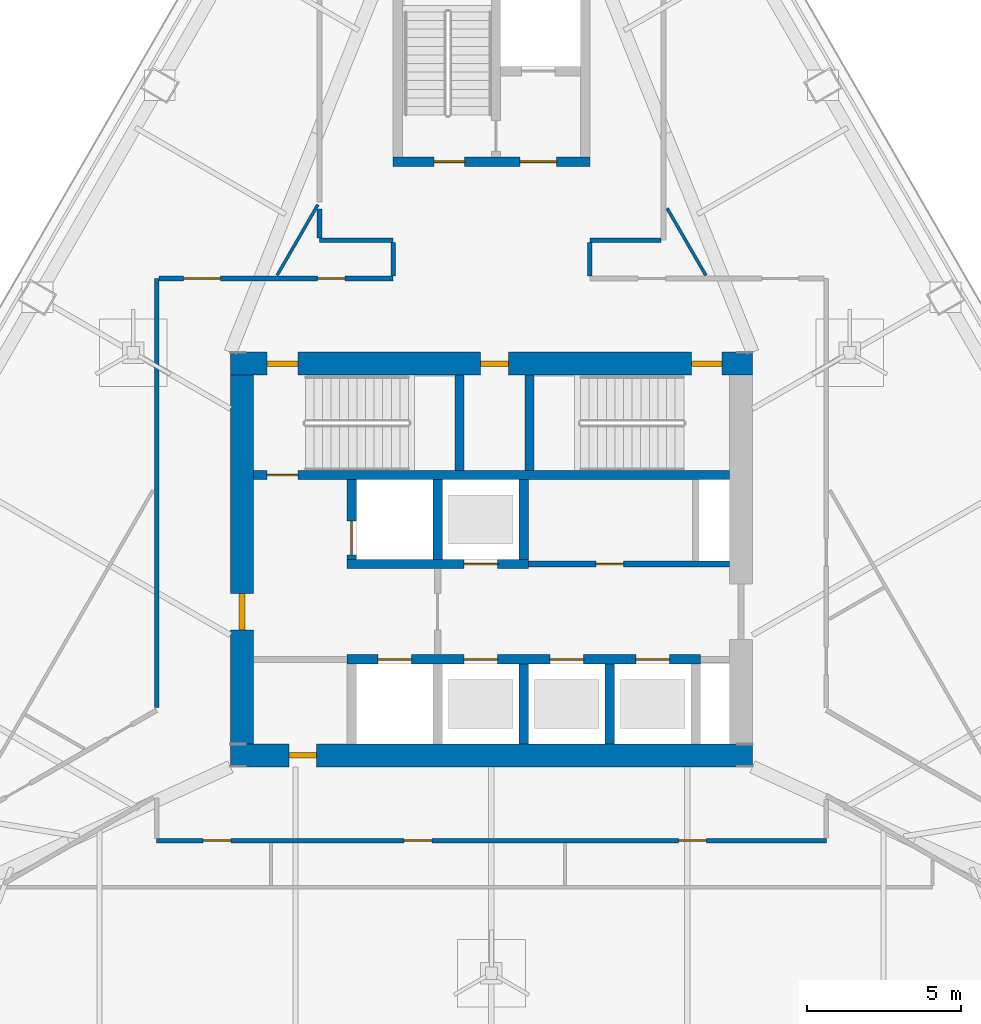
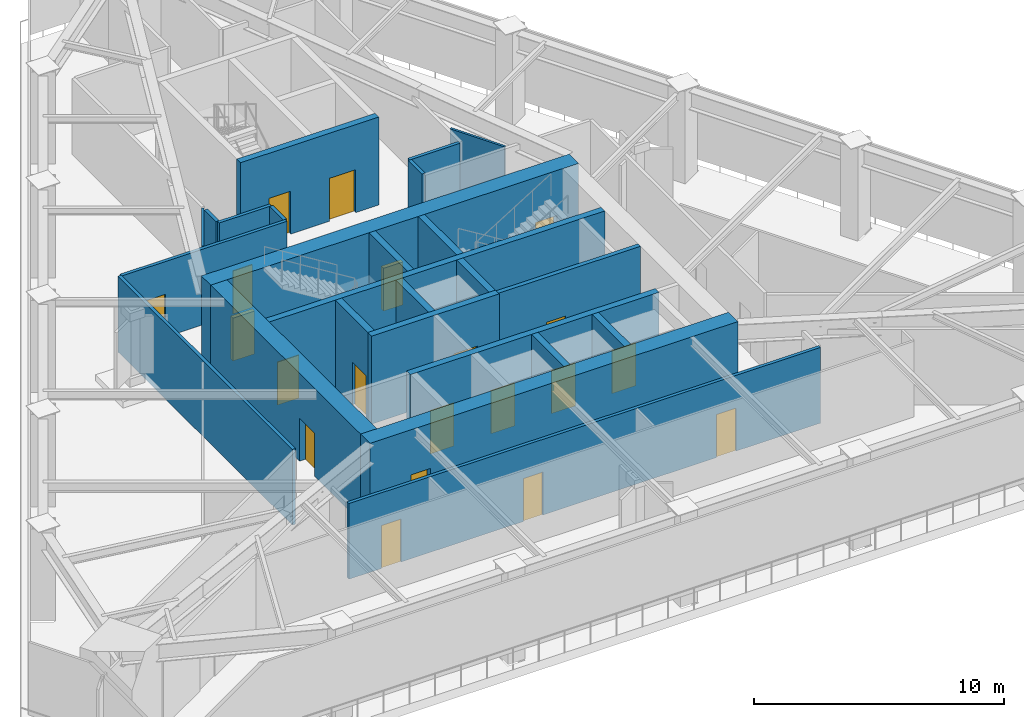
# One storey, part 3 of 9: 25 walls, 20 doors, 20 openings.
"""IFC4 building model written with IfcOpenShell, lengths in metres."""

from ifc_helpers import new_model, si_unit, direction, frame, frame_2d, origin, place, context, subcontext, project, spatial, rectangle, extrude, material, layer, layer_set, type_object, element, fill, save


model = new_model("IFC4")

# Units and contexts
model_context = context("Model", 3, precision=1e-05, world=origin(), true_north=direction((0.0, 1.0)))
body_context = subcontext(model_context, "Body", "Model", "MODEL_VIEW")
ifc_project = project(units=[si_unit("LENGTHUNIT", "METRE"), si_unit("AREAUNIT", "SQUARE_METRE"), si_unit("VOLUMEUNIT", "CUBIC_METRE"), si_unit("PLANEANGLEUNIT", "RADIAN"), si_unit("MASSUNIT", "GRAM", prefix="KILO")], contexts=[model_context])

# Site, building, storey
site_placement = place(None, origin())
site = spatial("IfcSite", under=ifc_project, at=site_placement, CompositionType="ELEMENT")
building_placement = place(site_placement, origin())
building = spatial("IfcBuilding", under=site, at=building_placement, Name="Firuza Gate Tower and Library", CompositionType="ELEMENT")
storey_placement = place(building_placement, frame((0.0, 0.0, 252.10009765625)))
storey = spatial("IfcBuildingStorey", under=building, at=storey_placement, Name="L59", CompositionType="ELEMENT", Elevation=252.10009765625)

# Wall, opening, door
ifc_material_1 = material(Name="Plasterboard on steel studs", Category="steel")
ifc_layer_1 = layer(ifc_material_1, 0.199951171875)
ifc_layer_set_1 = layer_set([ifc_layer_1], Name="Core partition 200 EI 120")
wall_type_1 = type_object("IfcWallType", Name="Core partition 200 EI 120", PredefinedType="PARTITIONING", material=ifc_layer_set_1)
wall_1_placement = place(storey_placement, frame((76.199951171875, 74.85009765625, 0.0), z_axis=(0.0, 0.0, 1.0), x_axis=(1.0, 0.0, 0.0)))
wall_1 = element("IfcWall", 1, at=wall_1_placement, inside=storey, type_object=wall_type_1, Name="Core partition L59 3", PredefinedType="PARTITIONING", context=body_context, shape_type="SweptSolid", body=[
    extrude(rectangle(XDim=6.550048828125, YDim=0.199951171875, at=frame_2d((3.27490234375, 0.0))), origin(), (0.0, 0.0, 1.0), 4.2998046875),
])
opening_1_placement = place(wall_1_placement, frame((2.199951171875, 0.0, 0.0)))
opening_1 = element("IfcOpeningElement", 2, at=opening_1_placement, cuts=wall_1, Name="Opening L59-K18", PredefinedType="OPENING", context=body_context, shape_type="SweptSolid", body=[
    extrude(rectangle(XDim=0.89990234375, YDim=2.10009765625, at=frame_2d((0.449951171875, 1.050048828125))), frame((0.0, 0.10986328125, 0.0), z_axis=(0.0, -1.0, 0.0), x_axis=(1.0, 0.0, 0.0)), (0.0, 0.0, 1.0), 0.219970703125),
])
ifc_material_2 = material(Name="Steel", Category="steel")
door_type_1 = type_object("IfcDoorType", Name="Fire door 900x2100 FD30S", OperationType="NOTDEFINED", PredefinedType="DOOR", material=ifc_material_2)
door_1_placement = place(opening_1_placement, origin())
door_1 = element("IfcDoor", 3, at=door_1_placement, inside=storey, type_object=door_type_1, Name="Door L59-K18", OperationType="SINGLE_SWING_LEFT", OverallHeight=2.10009765625, OverallWidth=0.89990234375, PredefinedType="DOOR", context=body_context, shape_type="SweptSolid", body=[
    extrude(rectangle(XDim=0.89990234375, YDim=2.10009765625, at=frame_2d((0.449951171875, 1.050048828125))), frame((0.0, 0.02490234375, 0.0), z_axis=(0.0, -1.0, 0.0), x_axis=(1.0, 0.0, 0.0)), (0.0, 0.0, 1.0), 0.050048828125),
])
fill(opening_1, door_1)

# Wall, openings, doors
ifc_material_3 = material(Name="Concrete C60/75", Category="concrete")
ifc_layer_2 = layer(ifc_material_3, 0.300048828125)
ifc_layer_set_2 = layer_set([ifc_layer_2], Name="Core wall 300 C60/75")
wall_type_2 = type_object("IfcWallType", Name="Core wall 300 C60/75", PredefinedType="SHEAR", material=ifc_layer_set_2)
wall_2_placement = place(storey_placement, frame((70.300048828125, 71.75, 0.0), z_axis=(0.0, 0.0, 1.0), x_axis=(1.0, 0.0, 0.0)))
wall_2 = element("IfcWall", 4, at=wall_2_placement, inside=storey, type_object=wall_type_2, Name="Core wall L59 5", PredefinedType="SHEAR", context=body_context, shape_type="SweptSolid", body=[
    extrude(rectangle(XDim=11.5, YDim=0.300048828125, at=frame_2d((5.75, 0.0))), origin(), (0.0, 0.0, 1.0), 4.2998046875),
])
opening_2_placement = place(wall_2_placement, frame((1.0, 0.0, 0.0)))
opening_2 = element("IfcOpeningElement", 5, at=opening_2_placement, cuts=wall_2, Name="Opening LD-FF1-L59", PredefinedType="OPENING", context=body_context, shape_type="SweptSolid", body=[
    extrude(rectangle(XDim=1.10009765625, YDim=2.10009765625, at=frame_2d((0.550048828125, 1.050048828125))), frame((0.0, 0.16015625, 0.0), z_axis=(0.0, -1.0, 0.0), x_axis=(1.0, 0.0, 0.0)), (0.0, 0.0, 1.0), 0.320068359375),
])
opening_3_placement = place(wall_2_placement, frame((3.800048828125, 0.0, 0.0)))
opening_3 = element("IfcOpeningElement", 6, at=opening_3_placement, cuts=wall_2, Name="Opening LD-HR1-L59", PredefinedType="OPENING", context=body_context, shape_type="SweptSolid", body=[
    extrude(rectangle(XDim=1.10009765625, YDim=2.10009765625, at=frame_2d((0.550048828125, 1.050048828125))), frame((0.0, 0.16015625, 0.0), z_axis=(0.0, -1.0, 0.0), x_axis=(1.0, 0.0, 0.0)), (0.0, 0.0, 1.0), 0.320068359375),
])
opening_4_placement = place(wall_2_placement, frame((6.60009765625, 0.0, 0.0)))
opening_4 = element("IfcOpeningElement", 7, at=opening_4_placement, cuts=wall_2, Name="Opening LD-HR2-L59", PredefinedType="OPENING", context=body_context, shape_type="SweptSolid", body=[
    extrude(rectangle(XDim=1.10009765625, YDim=2.10009765625, at=frame_2d((0.550048828125, 1.050048828125))), frame((0.0, 0.16015625, 0.0), z_axis=(0.0, -1.0, 0.0), x_axis=(1.0, 0.0, 0.0)), (0.0, 0.0, 1.0), 0.320068359375),
])
opening_5_placement = place(wall_2_placement, frame((9.39990234375, 0.0, 0.0)))
opening_5 = element("IfcOpeningElement", 8, at=opening_5_placement, cuts=wall_2, Name="Opening LD-HR3-L59", PredefinedType="OPENING", context=body_context, shape_type="SweptSolid", body=[
    extrude(rectangle(XDim=1.10009765625, YDim=2.10009765625, at=frame_2d((0.550048828125, 1.050048828125))), frame((0.0, 0.16015625, 0.0), z_axis=(0.0, -1.0, 0.0), x_axis=(1.0, 0.0, 0.0)), (0.0, 0.0, 1.0), 0.320068359375),
])
ifc_material_4 = material(Name="Stainless steel", Category="steel")
door_type_2 = type_object("IfcDoorType", Name="Lift landing door 1100x2100", OperationType="DOUBLE_DOOR_SLIDING", PredefinedType="DOOR", material=ifc_material_4)
door_2_placement = place(opening_2_placement, origin())
door_2 = element("IfcDoor", 9, at=door_2_placement, inside=storey, type_object=door_type_2, Name="Landing door FF1 L59", OperationType="DOUBLE_DOOR_SLIDING", OverallHeight=2.10009765625, OverallWidth=1.10009765625, PredefinedType="DOOR", context=body_context, shape_type="SweptSolid", body=[
    extrude(rectangle(XDim=1.10009765625, YDim=2.10009765625, at=frame_2d((0.550048828125, 1.050048828125))), frame((0.0, 0.02490234375, 0.0), z_axis=(0.0, -1.0, 0.0), x_axis=(1.0, 0.0, 0.0)), (0.0, 0.0, 1.0), 0.050048828125),
])
fill(opening_2, door_2)
door_3_placement = place(opening_3_placement, origin())
door_3 = element("IfcDoor", 10, at=door_3_placement, inside=storey, type_object=door_type_2, Name="Landing door HR1 L59", OperationType="DOUBLE_DOOR_SLIDING", OverallHeight=2.10009765625, OverallWidth=1.10009765625, PredefinedType="DOOR", context=body_context, shape_type="SweptSolid", body=[
    extrude(rectangle(XDim=1.10009765625, YDim=2.10009765625, at=frame_2d((0.550048828125, 1.050048828125))), frame((0.0, 0.02490234375, 0.0), z_axis=(0.0, -1.0, 0.0), x_axis=(1.0, 0.0, 0.0)), (0.0, 0.0, 1.0), 0.050048828125),
])
fill(opening_3, door_3)
door_4_placement = place(opening_4_placement, origin())
door_4 = element("IfcDoor", 11, at=door_4_placement, inside=storey, type_object=door_type_2, Name="Landing door HR2 L59", OperationType="DOUBLE_DOOR_SLIDING", OverallHeight=2.10009765625, OverallWidth=1.10009765625, PredefinedType="DOOR", context=body_context, shape_type="SweptSolid", body=[
    extrude(rectangle(XDim=1.10009765625, YDim=2.10009765625, at=frame_2d((0.550048828125, 1.050048828125))), frame((0.0, 0.02490234375, 0.0), z_axis=(0.0, -1.0, 0.0), x_axis=(1.0, 0.0, 0.0)), (0.0, 0.0, 1.0), 0.050048828125),
])
fill(opening_4, door_4)
door_5_placement = place(opening_5_placement, origin())
door_5 = element("IfcDoor", 12, at=door_5_placement, inside=storey, type_object=door_type_2, Name="Landing door HR3 L59", OperationType="DOUBLE_DOOR_SLIDING", OverallHeight=2.10009765625, OverallWidth=1.10009765625, PredefinedType="DOOR", context=body_context, shape_type="SweptSolid", body=[
    extrude(rectangle(XDim=1.10009765625, YDim=2.10009765625, at=frame_2d((0.550048828125, 1.050048828125))), frame((0.0, 0.02490234375, 0.0), z_axis=(0.0, -1.0, 0.0), x_axis=(1.0, 0.0, 0.0)), (0.0, 0.0, 1.0), 0.050048828125),
])
fill(opening_5, door_5)

# Wall, opening, door
wall_3_placement = place(storey_placement, frame((70.300048828125, 74.85009765625, 0.0), z_axis=(0.0, 0.0, 1.0), x_axis=(1.0, 0.0, 0.0)))
wall_3 = element("IfcWall", 13, at=wall_3_placement, inside=storey, type_object=wall_type_2, Name="Core wall L59 6", PredefinedType="SHEAR", context=body_context, shape_type="SweptSolid", body=[
    extrude(rectangle(XDim=5.89990234375, YDim=0.300048828125, at=frame_2d((2.949951171875, 0.0))), origin(), (0.0, 0.0, 1.0), 4.2998046875),
])
opening_6_placement = place(wall_3_placement, frame((3.800048828125, 0.0, 0.0)))
opening_6 = element("IfcOpeningElement", 14, at=opening_6_placement, cuts=wall_3, Name="Opening LD-HR4-L59", PredefinedType="OPENING", context=body_context, shape_type="SweptSolid", body=[
    extrude(rectangle(XDim=1.10009765625, YDim=2.10009765625, at=frame_2d((0.550048828125, 1.050048828125))), frame((0.0, 0.16015625, 0.0), z_axis=(0.0, -1.0, 0.0), x_axis=(1.0, 0.0, 0.0)), (0.0, 0.0, 1.0), 0.320068359375),
])
door_6_placement = place(opening_6_placement, origin())
door_6 = element("IfcDoor", 15, at=door_6_placement, inside=storey, type_object=door_type_2, Name="Landing door HR4 L59", OperationType="DOUBLE_DOOR_SLIDING", OverallHeight=2.10009765625, OverallWidth=1.10009765625, PredefinedType="DOOR", context=body_context, shape_type="SweptSolid", body=[
    extrude(rectangle(XDim=1.10009765625, YDim=2.10009765625, at=frame_2d((0.550048828125, 1.050048828125))), frame((0.0, 0.02490234375, 0.0), z_axis=(0.0, -1.0, 0.0), x_axis=(1.0, 0.0, 0.0)), (0.0, 0.0, 1.0), 0.050048828125),
])
fill(opening_6, door_6)

wall_4_placement = place(storey_placement, frame((70.449951171875, 75.0, 0.0), z_axis=(0.0, 0.0, 1.0), x_axis=(0.0, 1.0, 0.0)))
wall_4 = element("IfcWall", 16, at=wall_4_placement, inside=storey, type_object=wall_type_2, Name="Core wall L59 8", PredefinedType="SHEAR", context=body_context, shape_type="SweptSolid", body=[
    extrude(rectangle(XDim=2.60009765625, YDim=0.300048828125, at=frame_2d((1.300048828125, 0.0))), origin(), (0.0, 0.0, 1.0), 4.2998046875),
])
opening_7_placement = place(wall_4_placement, frame((0.14990234375, 0.0, 0.0)))
opening_7 = element("IfcOpeningElement", 17, at=opening_7_placement, cuts=wall_4, Name="Opening LD-FF2-L59", PredefinedType="OPENING", context=body_context, shape_type="SweptSolid", body=[
    extrude(rectangle(XDim=1.10009765625, YDim=2.10009765625, at=frame_2d((0.550048828125, 1.050048828125))), frame((0.0, 0.16015625, 0.0), z_axis=(0.0, -1.0, 0.0), x_axis=(1.0, 0.0, 0.0)), (0.0, 0.0, 1.0), 0.320068359375),
])
door_7_placement = place(opening_7_placement, origin())
door_7 = element("IfcDoor", 18, at=door_7_placement, inside=storey, type_object=door_type_2, Name="Landing door FF2 L59", OperationType="DOUBLE_DOOR_SLIDING", OverallHeight=2.10009765625, OverallWidth=1.10009765625, PredefinedType="DOOR", context=body_context, shape_type="SweptSolid", body=[
    extrude(rectangle(XDim=1.10009765625, YDim=2.10009765625, at=frame_2d((0.550048828125, 1.050048828125))), frame((0.0, 0.02490234375, 0.0), z_axis=(0.0, -1.0, 0.0), x_axis=(1.0, 0.0, 0.0)), (0.0, 0.0, 1.0), 0.050048828125),
])
fill(opening_7, door_7)

# Walls
for number, where, z_axis, x_axis, name in (
    (19, (73.25, 75.0, 0.0), (0.0, 0.0, 1.0), (0.0, 1.0, 0.0), "Core wall L59 10"),
    (20, (76.050048828125, 69.0, 0.0), (0.0, 0.0, 1.0), (0.0, 1.0, 0.0), "Core wall L59 11"),
    (21, (76.050048828125, 75.0, 0.0), (0.0, 0.0, 1.0), (0.0, 1.0, 0.0), "Core wall L59 12"),
    (22, (78.85009765625, 69.0, 0.0), (0.0, 0.0, 1.0), (0.0, 1.0, 0.0), "Core wall L59 13"),
):
    element("IfcWall", number, at=place(storey_placement, frame(where, z_axis=z_axis, x_axis=x_axis)), inside=storey, type_object=wall_type_2, Name=name, PredefinedType="SHEAR", context=body_context, shape_type="SweptSolid", body=[
        extrude(rectangle(XDim=2.60009765625, YDim=0.300048828125, at=frame_2d((1.300048828125, 0.0))), origin(), (0.0, 0.0, 1.0), 4.2998046875),
    ])

# Wall, opening, door
wall_5_placement = place(storey_placement, frame((67.25, 77.75, 0.0), z_axis=(0.0, 0.0, 1.0), x_axis=(1.0, 0.0, 0.0)))
wall_5 = element("IfcWall", 23, at=wall_5_placement, inside=storey, type_object=wall_type_2, Name="Core wall L59 15", PredefinedType="SHEAR", context=body_context, shape_type="SweptSolid", body=[
    extrude(rectangle(XDim=15.5, YDim=0.300048828125, at=frame_2d((7.75, 0.0))), origin(), (0.0, 0.0, 1.0), 4.2998046875),
])
opening_8_placement = place(wall_5_placement, frame((0.445068359375, 0.0, 0.0)))
opening_8 = element("IfcOpeningElement", 24, at=opening_8_placement, cuts=wall_5, Name="Opening L59-K08", PredefinedType="OPENING", context=body_context, shape_type="SweptSolid", body=[
    extrude(rectangle(XDim=1.0, YDim=2.10009765625, at=frame_2d((0.5, 1.050048828125))), frame((0.0, 0.16015625, 0.0), z_axis=(0.0, -1.0, 0.0), x_axis=(1.0, 0.0, 0.0)), (0.0, 0.0, 1.0), 0.320068359375),
])
ifc_material_5 = material(Name="Steel", Category="steel")
door_type_3 = type_object("IfcDoorType", Name="Fire door 1000x2100 FD90", OperationType="NOTDEFINED", PredefinedType="DOOR", material=ifc_material_5)
door_8_placement = place(opening_8_placement, origin())
door_8 = element("IfcDoor", 25, at=door_8_placement, inside=storey, type_object=door_type_3, Name="Door L59-K08", OperationType="SINGLE_SWING_LEFT", OverallHeight=2.10009765625, OverallWidth=1.0, PredefinedType="DOOR", context=body_context, shape_type="SweptSolid", body=[
    extrude(rectangle(XDim=1.0, YDim=2.10009765625, at=frame_2d((0.5, 1.050048828125))), frame((0.0, 0.02490234375, 0.0), z_axis=(0.0, -1.0, 0.0), x_axis=(1.0, 0.0, 0.0)), (0.0, 0.0, 1.0), 0.050048828125),
])
fill(opening_8, door_8)

# Walls
for number, where, z_axis, x_axis, name in (
    (26, (73.9599609375, 77.89990234375, 0.0), (0.0, 0.0, 1.0), (0.0, 1.0, 0.0), "Core wall L59 16"),
    (27, (76.239990234375, 77.89990234375, 0.0), (0.0, 0.0, 1.0), (0.0, 1.0, 0.0), "Core wall L59 17"),
):
    element("IfcWall", number, at=place(storey_placement, frame(where, z_axis=z_axis, x_axis=x_axis)), inside=storey, type_object=wall_type_2, Name=name, PredefinedType="SHEAR", context=body_context, shape_type="SweptSolid", body=[
        extrude(rectangle(XDim=3.10009765625, YDim=0.300048828125, at=frame_2d((1.550048828125, 0.0))), origin(), (0.0, 0.0, 1.0), 4.2998046875),
    ])

# Wall, openings, doors
wall_6_placement = place(storey_placement, frame((71.800048828125, 87.949951171875, 0.0), z_axis=(0.0, 0.0, 1.0), x_axis=(1.0, 0.0, 0.0)))
wall_6 = element("IfcWall", 28, at=wall_6_placement, inside=storey, type_object=wall_type_2, Name="Core wall L59 18", PredefinedType="SHEAR", context=body_context, shape_type="SweptSolid", body=[
    extrude(rectangle(XDim=6.39990234375, YDim=0.300048828125, at=frame_2d((3.199951171875, 0.0))), origin(), (0.0, 0.0, 1.0), 4.2998046875),
])
opening_9_placement = place(wall_6_placement, frame((1.324951171875, 0.0, 0.0)))
opening_9 = element("IfcOpeningElement", 29, at=opening_9_placement, cuts=wall_6, Name="Opening L59-K11", PredefinedType="OPENING", context=body_context, shape_type="SweptSolid", body=[
    extrude(rectangle(XDim=1.0, YDim=2.10009765625, at=frame_2d((0.5, 1.050048828125))), frame((0.0, 0.16015625, 0.0), z_axis=(0.0, -1.0, 0.0), x_axis=(1.0, 0.0, 0.0)), (0.0, 0.0, 1.0), 0.320068359375),
])
opening_10_placement = place(wall_6_placement, frame((4.125, 0.0, 0.0)))
opening_10 = element("IfcOpeningElement", 30, at=opening_10_placement, cuts=wall_6, Name="Opening L59-K13", PredefinedType="OPENING", context=body_context, shape_type="SweptSolid", body=[
    extrude(rectangle(XDim=1.199951171875, YDim=2.10009765625, at=frame_2d((0.60009765625, 1.050048828125))), frame((0.0, 0.16015625, 0.0), z_axis=(0.0, -1.0, 0.0), x_axis=(1.0, 0.0, 0.0)), (0.0, 0.0, 1.0), 0.320068359375),
])
door_9_placement = place(opening_9_placement, origin())
door_9 = element("IfcDoor", 31, at=door_9_placement, inside=storey, type_object=door_type_3, Name="Door L59-K11", OperationType="SINGLE_SWING_RIGHT", OverallHeight=2.10009765625, OverallWidth=1.0, PredefinedType="DOOR", context=body_context, shape_type="SweptSolid", body=[
    extrude(rectangle(XDim=1.0, YDim=2.10009765625, at=frame_2d((0.5, 1.050048828125))), frame((0.0, 0.02490234375, 0.0), z_axis=(0.0, -1.0, 0.0), x_axis=(1.0, 0.0, 0.0)), (0.0, 0.0, 1.0), 0.050048828125),
])
fill(opening_9, door_9)
ifc_material_6 = material(Name="Steel", Category="steel")
door_type_4 = type_object("IfcDoorType", Name="Fire door 1200x2100 FD30S", OperationType="NOTDEFINED", PredefinedType="DOOR", material=ifc_material_6)
door_10_placement = place(opening_10_placement, origin())
door_10 = element("IfcDoor", 32, at=door_10_placement, inside=storey, type_object=door_type_4, Name="Door L59-K13", OperationType="SINGLE_SWING_RIGHT", OverallHeight=2.10009765625, OverallWidth=1.199951171875, PredefinedType="DOOR", context=body_context, shape_type="SweptSolid", body=[
    extrude(rectangle(XDim=1.199951171875, YDim=2.10009765625, at=frame_2d((0.60009765625, 1.050048828125))), frame((0.0, 0.02490234375, 0.0), z_axis=(0.0, -1.0, 0.0), x_axis=(1.0, 0.0, 0.0)), (0.0, 0.0, 1.0), 0.050048828125),
])
fill(opening_10, door_10)

# Wall, opening, door
ifc_material_7 = material(Name="Concrete C60/75", Category="concrete")
ifc_layer_3 = layer(ifc_material_7, 0.75)
ifc_layer_set_3 = layer_set([ifc_layer_3], Name="Core wall 750 C60/75")
wall_type_3 = type_object("IfcWallType", Name="Core wall 750 C60/75", PredefinedType="SHEAR", material=ifc_layer_set_3)
wall_7_placement = place(storey_placement, frame((66.5, 68.625, 0.0), z_axis=(0.0, 0.0, 1.0), x_axis=(1.0, 0.0, 0.0)))
wall_7 = element("IfcWall", 33, at=wall_7_placement, inside=storey, type_object=wall_type_3, Name="Core wall L59 1", PredefinedType="SHEAR", context=body_context, shape_type="SweptSolid", body=[
    extrude(rectangle(XDim=17.0, YDim=0.75, at=frame_2d((8.5, 0.0))), origin(), (0.0, 0.0, 1.0), 4.2998046875),
])
opening_11_placement = place(wall_7_placement, frame((1.89990234375, 0.0, 0.0)))
opening_11 = element("IfcOpeningElement", 34, at=opening_11_placement, cuts=wall_7, Name="Opening L59-K17", PredefinedType="OPENING", context=body_context, shape_type="SweptSolid", body=[
    extrude(rectangle(XDim=0.89990234375, YDim=2.10009765625, at=frame_2d((0.449951171875, 1.050048828125))), frame((0.0, 0.385009765625, 0.0), z_axis=(0.0, -1.0, 0.0), x_axis=(1.0, 0.0, 0.0)), (0.0, 0.0, 1.0), 0.77001953125),
])
door_11_placement = place(opening_11_placement, origin())
door_11 = element("IfcDoor", 35, at=door_11_placement, inside=storey, type_object=door_type_1, Name="Door L59-K17", OperationType="SINGLE_SWING_RIGHT", OverallHeight=2.10009765625, OverallWidth=0.89990234375, PredefinedType="DOOR", context=body_context, shape_type="SweptSolid", body=[
    extrude(rectangle(XDim=0.89990234375, YDim=2.10009765625, at=frame_2d((0.449951171875, 1.050048828125))), frame((0.0, 0.094970703125, 0.0), z_axis=(0.0, -1.0, 0.0), x_axis=(1.0, 0.0, 0.0)), (0.0, 0.0, 1.0), 0.18994140625),
])
fill(opening_11, door_11)

# Wall, openings, doors
wall_8_placement = place(storey_placement, frame((66.5, 81.375, 0.0), z_axis=(0.0, 0.0, 1.0), x_axis=(1.0, 0.0, 0.0)))
wall_8 = element("IfcWall", 36, at=wall_8_placement, inside=storey, type_object=wall_type_3, Name="Core wall L59 2", PredefinedType="SHEAR", context=body_context, shape_type="SweptSolid", body=[
    extrude(rectangle(XDim=17.0, YDim=0.75, at=frame_2d((8.5, 0.0))), origin(), (0.0, 0.0, 1.0), 4.2998046875),
])
opening_12_placement = place(wall_8_placement, frame((1.195068359375, 0.0, 0.0)))
opening_12 = element("IfcOpeningElement", 37, at=opening_12_placement, cuts=wall_8, Name="Opening L59-K09", PredefinedType="OPENING", context=body_context, shape_type="SweptSolid", body=[
    extrude(rectangle(XDim=1.0, YDim=2.10009765625, at=frame_2d((0.5, 1.050048828125))), frame((0.0, 0.385009765625, 0.0), z_axis=(0.0, -1.0, 0.0), x_axis=(1.0, 0.0, 0.0)), (0.0, 0.0, 1.0), 0.77001953125),
])
opening_13_placement = place(wall_8_placement, frame((15.0048828125, 0.0, 0.0)))
opening_13 = element("IfcOpeningElement", 38, at=opening_13_placement, cuts=wall_8, Name="Opening L59-K10", PredefinedType="OPENING", context=body_context, shape_type="SweptSolid", body=[
    extrude(rectangle(XDim=1.0, YDim=2.10009765625, at=frame_2d((0.5, 1.050048828125))), frame((0.0, 0.385009765625, 0.0), z_axis=(0.0, -1.0, 0.0), x_axis=(1.0, 0.0, 0.0)), (0.0, 0.0, 1.0), 0.77001953125),
])
opening_14_placement = place(wall_8_placement, frame((8.14990234375, 0.0, 0.0)))
opening_14 = element("IfcOpeningElement", 39, at=opening_14_placement, cuts=wall_8, Name="Opening L59-K19", PredefinedType="OPENING", context=body_context, shape_type="SweptSolid", body=[
    extrude(rectangle(XDim=0.89990234375, YDim=2.10009765625, at=frame_2d((0.449951171875, 1.050048828125))), frame((0.0, 0.385009765625, 0.0), z_axis=(0.0, -1.0, 0.0), x_axis=(1.0, 0.0, 0.0)), (0.0, 0.0, 1.0), 0.77001953125),
])
door_12_placement = place(opening_12_placement, origin())
door_12 = element("IfcDoor", 40, at=door_12_placement, inside=storey, type_object=door_type_3, Name="Door L59-K09", OperationType="SINGLE_SWING_RIGHT", OverallHeight=2.10009765625, OverallWidth=1.0, PredefinedType="DOOR", context=body_context, shape_type="SweptSolid", body=[
    extrude(rectangle(XDim=1.0, YDim=2.10009765625, at=frame_2d((0.5, 1.050048828125))), frame((0.0, 0.094970703125, 0.0), z_axis=(0.0, -1.0, 0.0), x_axis=(1.0, 0.0, 0.0)), (0.0, 0.0, 1.0), 0.18994140625),
])
fill(opening_12, door_12)
door_13_placement = place(opening_13_placement, origin())
door_13 = element("IfcDoor", 41, at=door_13_placement, inside=storey, type_object=door_type_3, Name="Door L59-K10", OperationType="SINGLE_SWING_LEFT", OverallHeight=2.10009765625, OverallWidth=1.0, PredefinedType="DOOR", context=body_context, shape_type="SweptSolid", body=[
    extrude(rectangle(XDim=1.0, YDim=2.10009765625, at=frame_2d((0.5, 1.050048828125))), frame((0.0, 0.094970703125, 0.0), z_axis=(0.0, -1.0, 0.0), x_axis=(1.0, 0.0, 0.0)), (0.0, 0.0, 1.0), 0.18994140625),
])
fill(opening_13, door_13)
door_14_placement = place(opening_14_placement, origin())
door_14 = element("IfcDoor", 42, at=door_14_placement, inside=storey, type_object=door_type_1, Name="Door L59-K19", OperationType="SINGLE_SWING_RIGHT", OverallHeight=2.10009765625, OverallWidth=0.89990234375, PredefinedType="DOOR", context=body_context, shape_type="SweptSolid", body=[
    extrude(rectangle(XDim=0.89990234375, YDim=2.10009765625, at=frame_2d((0.449951171875, 1.050048828125))), frame((0.0, 0.094970703125, 0.0), z_axis=(0.0, -1.0, 0.0), x_axis=(1.0, 0.0, 0.0)), (0.0, 0.0, 1.0), 0.18994140625),
])
fill(opening_14, door_14)

# Wall, opening, door
wall_9_placement = place(storey_placement, frame((66.875, 69.0, 0.0), z_axis=(0.0, 0.0, 1.0), x_axis=(0.0, 1.0, 0.0)))
wall_9 = element("IfcWall", 43, at=wall_9_placement, inside=storey, type_object=wall_type_3, Name="Core wall L59 3", PredefinedType="SHEAR", context=body_context, shape_type="SweptSolid", body=[
    extrude(rectangle(XDim=12.0, YDim=0.75, at=frame_2d((6.0, 0.0))), origin(), (0.0, 0.0, 1.0), 4.2998046875),
])
opening_15_placement = place(wall_9_placement, frame((3.699951171875, 0.0, 0.0)))
opening_15 = element("IfcOpeningElement", 44, at=opening_15_placement, cuts=wall_9, Name="Opening L59-K15", PredefinedType="OPENING", context=body_context, shape_type="SweptSolid", body=[
    extrude(rectangle(XDim=1.199951171875, YDim=2.10009765625, at=frame_2d((0.60009765625, 1.050048828125))), frame((0.0, 0.385009765625, 0.0), z_axis=(0.0, -1.0, 0.0), x_axis=(1.0, 0.0, 0.0)), (0.0, 0.0, 1.0), 0.77001953125),
])
ifc_material_8 = material(Name="Steel", Category="steel")
door_type_5 = type_object("IfcDoorType", Name="Fire door 1200x2100 FD90S", OperationType="NOTDEFINED", PredefinedType="DOOR", material=ifc_material_8)
door_15_placement = place(opening_15_placement, origin())
door_15 = element("IfcDoor", 45, at=door_15_placement, inside=storey, type_object=door_type_5, Name="Door L59-K15", OperationType="SINGLE_SWING_RIGHT", OverallHeight=2.10009765625, OverallWidth=1.199951171875, PredefinedType="DOOR", context=body_context, shape_type="SweptSolid", body=[
    extrude(rectangle(XDim=1.199951171875, YDim=2.10009765625, at=frame_2d((0.60009765625, 1.050048828125))), frame((0.0, 0.094970703125, 0.0), z_axis=(0.0, -1.0, 0.0), x_axis=(1.0, 0.0, 0.0)), (0.0, 0.0, 1.0), 0.18994140625),
])
fill(opening_15, door_15)

# Wall, openings, doors
ifc_material_9 = material(Name="Gypsum board partition")
ifc_layer_4 = layer(ifc_material_9, 0.14990234375)
ifc_layer_set_4 = layer_set([ifc_layer_4], Name="Corridor wall 150 double board on steel studs")
wall_type_4 = type_object("IfcWallType", Name="Corridor wall 150 double board on steel studs", PredefinedType="PARTITIONING", material=ifc_layer_set_4)
wall_10_placement = place(storey_placement, frame((85.89990234375, 65.85009765625, 0.0), z_axis=(0.0, 0.0, 1.0), x_axis=(-1.0, 0.0, 0.0)))
wall_10 = element("IfcWall", 46, at=wall_10_placement, inside=storey, type_object=wall_type_4, Name="f:L59:w001", PredefinedType="PARTITIONING", context=body_context, shape_type="SweptSolid", body=[
    extrude(rectangle(XDim=21.7998046875, YDim=0.14990234375, at=frame_2d((10.89990234375, 0.0))), origin(), (0.0, 0.0, 1.0), 3.699951171875),
])
opening_16_placement = place(wall_10_placement, frame((3.9052734375, 0.0, 0.0)))
opening_16 = element("IfcOpeningElement", 47, at=opening_16_placement, cuts=wall_10, Name="Opening L59-01", PredefinedType="OPENING", context=body_context, shape_type="SweptSolid", body=[
    extrude(rectangle(XDim=0.89990234375, YDim=2.10009765625, at=frame_2d((0.449951171875, 1.050048828125))), frame((0.0, 0.0849609375, 0.0), z_axis=(0.0, -1.0, 0.0), x_axis=(1.0, 0.0, 0.0)), (0.0, 0.0, 1.0), 0.169921875),
])
opening_17_placement = place(wall_10_placement, frame((12.842529296875, 0.0, 0.0)))
opening_17 = element("IfcOpeningElement", 48, at=opening_17_placement, cuts=wall_10, Name="Opening L59-02", PredefinedType="OPENING", context=body_context, shape_type="SweptSolid", body=[
    extrude(rectangle(XDim=0.89990234375, YDim=2.10009765625, at=frame_2d((0.449951171875, 1.050048828125))), frame((0.0, 0.0849609375, 0.0), z_axis=(0.0, -1.0, 0.0), x_axis=(1.0, 0.0, 0.0)), (0.0, 0.0, 1.0), 0.169921875),
])
opening_18_placement = place(wall_10_placement, frame((19.38720703125, 0.0, 0.0)))
opening_18 = element("IfcOpeningElement", 49, at=opening_18_placement, cuts=wall_10, Name="Opening L59-03", PredefinedType="OPENING", context=body_context, shape_type="SweptSolid", body=[
    extrude(rectangle(XDim=0.89990234375, YDim=2.10009765625, at=frame_2d((0.449951171875, 1.050048828125))), frame((0.0, 0.0849609375, 0.0), z_axis=(0.0, -1.0, 0.0), x_axis=(1.0, 0.0, 0.0)), (0.0, 0.0, 1.0), 0.169921875),
])
ifc_material_10 = material(Name="Steel door and timber leaf", Category="steel")
door_type_6 = type_object("IfcDoorType", Name="Fire door 900 x 2100 steel frame, timber leaf", OperationType="NOTDEFINED", PredefinedType="DOOR", material=ifc_material_10)
door_16_placement = place(opening_16_placement, origin())
door_16 = element("IfcDoor", 50, at=door_16_placement, inside=storey, type_object=door_type_6, Name="f:L59:d001", OperationType="SINGLE_SWING_RIGHT", OverallHeight=2.10009765625, OverallWidth=0.89990234375, PredefinedType="DOOR", context=body_context, shape_type="SweptSolid", body=[
    extrude(rectangle(XDim=0.89990234375, YDim=2.10009765625, at=frame_2d((0.449951171875, 1.050048828125))), frame((0.0, 0.02490234375, 0.0), z_axis=(0.0, -1.0, 0.0), x_axis=(1.0, 0.0, 0.0)), (0.0, 0.0, 1.0), 0.050048828125),
])
fill(opening_16, door_16)
door_17_placement = place(opening_17_placement, origin())
door_17 = element("IfcDoor", 51, at=door_17_placement, inside=storey, type_object=door_type_6, Name="f:L59:d002", OperationType="SINGLE_SWING_LEFT", OverallHeight=2.10009765625, OverallWidth=0.89990234375, PredefinedType="DOOR", context=body_context, shape_type="SweptSolid", body=[
    extrude(rectangle(XDim=0.89990234375, YDim=2.10009765625, at=frame_2d((0.449951171875, 1.050048828125))), frame((0.0, 0.02490234375, 0.0), z_axis=(0.0, -1.0, 0.0), x_axis=(1.0, 0.0, 0.0)), (0.0, 0.0, 1.0), 0.050048828125),
])
fill(opening_17, door_17)
door_18_placement = place(opening_18_placement, origin())
door_18 = element("IfcDoor", 52, at=door_18_placement, inside=storey, type_object=door_type_6, Name="f:L59:d003", OperationType="SINGLE_SWING_RIGHT", OverallHeight=2.10009765625, OverallWidth=0.89990234375, PredefinedType="DOOR", context=body_context, shape_type="SweptSolid", body=[
    extrude(rectangle(XDim=0.89990234375, YDim=2.10009765625, at=frame_2d((0.449951171875, 1.050048828125))), frame((0.0, 0.02490234375, 0.0), z_axis=(0.0, -1.0, 0.0), x_axis=(1.0, 0.0, 0.0)), (0.0, 0.0, 1.0), 0.050048828125),
])
fill(opening_18, door_18)

wall_11_placement = place(storey_placement, frame((64.175048828125, 84.14990234375, 0.0), z_axis=(0.0, 0.0, 1.0), x_axis=(1.0, 0.0, 0.0)))
wall_11 = element("IfcWall", 53, at=wall_11_placement, inside=storey, type_object=wall_type_4, Name="f:L59:w002", PredefinedType="PARTITIONING", context=body_context, shape_type="SweptSolid", body=[
    extrude(rectangle(XDim=7.625, YDim=0.14990234375, at=frame_2d((3.8125, 0.0))), origin(), (0.0, 0.0, 1.0), 3.699951171875),
])
opening_19_placement = place(wall_11_placement, frame((0.800048828125, 0.0, 0.0)))
opening_19 = element("IfcOpeningElement", 54, at=opening_19_placement, cuts=wall_11, Name="Opening L59-04", PredefinedType="OPENING", context=body_context, shape_type="SweptSolid", body=[
    extrude(rectangle(XDim=1.199951171875, YDim=2.10009765625, at=frame_2d((0.60009765625, 1.050048828125))), frame((0.0, 0.0849609375, 0.0), z_axis=(0.0, -1.0, 0.0), x_axis=(1.0, 0.0, 0.0)), (0.0, 0.0, 1.0), 0.169921875),
])
opening_20_placement = place(wall_11_placement, frame((5.154541015625, 0.0, 0.0)))
opening_20 = element("IfcOpeningElement", 55, at=opening_20_placement, cuts=wall_11, Name="Opening L59-05", PredefinedType="OPENING", context=body_context, shape_type="SweptSolid", body=[
    extrude(rectangle(XDim=0.89990234375, YDim=2.10009765625, at=frame_2d((0.449951171875, 1.050048828125))), frame((0.0, 0.0849609375, 0.0), z_axis=(0.0, -1.0, 0.0), x_axis=(1.0, 0.0, 0.0)), (0.0, 0.0, 1.0), 0.169921875),
])
ifc_material_11 = material(Name="Steel door and timber leaf", Category="steel")
door_type_7 = type_object("IfcDoorType", Name="Fire door 1200 x 2100 steel frame, double leaf", OperationType="NOTDEFINED", PredefinedType="DOOR", material=ifc_material_11)
door_19_placement = place(opening_19_placement, origin())
door_19 = element("IfcDoor", 56, at=door_19_placement, inside=storey, type_object=door_type_7, Name="f:L59:d004", OperationType="DOUBLE_DOOR_SINGLE_SWING", OverallHeight=2.10009765625, OverallWidth=1.199951171875, PredefinedType="DOOR", context=body_context, shape_type="SweptSolid", body=[
    extrude(rectangle(XDim=1.199951171875, YDim=2.10009765625, at=frame_2d((0.60009765625, 1.050048828125))), frame((0.0, 0.02490234375, 0.0), z_axis=(0.0, -1.0, 0.0), x_axis=(1.0, 0.0, 0.0)), (0.0, 0.0, 1.0), 0.050048828125),
])
fill(opening_19, door_19)
door_20_placement = place(opening_20_placement, origin())
door_20 = element("IfcDoor", 57, at=door_20_placement, inside=storey, type_object=door_type_6, Name="f:L59:d005", OperationType="SINGLE_SWING_LEFT", OverallHeight=2.10009765625, OverallWidth=0.89990234375, PredefinedType="DOOR", context=body_context, shape_type="SweptSolid", body=[
    extrude(rectangle(XDim=0.89990234375, YDim=2.10009765625, at=frame_2d((0.449951171875, 1.050048828125))), frame((0.0, 0.02490234375, 0.0), z_axis=(0.0, -1.0, 0.0), x_axis=(1.0, 0.0, 0.0)), (0.0, 0.0, 1.0), 0.050048828125),
])
fill(opening_20, door_20)

# Walls
wall_12_placement = place(storey_placement, frame((69.400390625, 85.39990234375, 0.0), z_axis=(0.0, 0.0, 1.0), x_axis=(1.0, 0.0, 0.0)))
element("IfcWall", 58, at=wall_12_placement, inside=storey, type_object=wall_type_4, Name="f:L59:w004", PredefinedType="PARTITIONING", context=body_context, shape_type="SweptSolid", body=[
    extrude(rectangle(XDim=2.399169921875, YDim=0.14990234375, at=frame_2d((1.19970703125, 0.0))), origin(), (0.0, 0.0, 1.0), 3.699951171875),
])
wall_13_placement = place(storey_placement, frame((78.199951171875, 85.39990234375, 0.0), z_axis=(0.0, 0.0, 1.0), x_axis=(1.0, 0.0, 0.0)))
element("IfcWall", 59, at=wall_13_placement, inside=storey, type_object=wall_type_4, Name="f:L59:w005", PredefinedType="PARTITIONING", context=body_context, shape_type="SweptSolid", body=[
    extrude(rectangle(XDim=2.324951171875, YDim=0.14990234375, at=frame_2d((1.16259765625, 0.0))), origin(), (0.0, 0.0, 1.0), 3.699951171875),
])
wall_14_placement = place(storey_placement, frame((78.199951171875, 84.22509765625, 0.0), z_axis=(0.0, 0.0, 1.0), x_axis=(0.0, 1.0, 0.0)))
element("IfcWall", 60, at=wall_14_placement, inside=storey, type_object=wall_type_4, Name="f:L59:w020", PredefinedType="PARTITIONING", context=body_context, shape_type="SweptSolid", body=[
    extrude(rectangle(XDim=1.099853515625, YDim=0.14990234375, at=frame_2d((0.5498046875, 0.0))), origin(), (0.0, 0.0, 1.0), 3.699951171875),
])
wall_15_placement = place(storey_placement, frame((71.800048828125, 84.22509765625, 0.0), z_axis=(0.0, 0.0, 1.0), x_axis=(0.0, 1.0, 0.0)))
element("IfcWall", 61, at=wall_15_placement, inside=storey, type_object=wall_type_4, Name="f:L59:w025", PredefinedType="PARTITIONING", context=body_context, shape_type="SweptSolid", body=[
    extrude(rectangle(XDim=1.099365234375, YDim=0.14990234375, at=frame_2d((0.5498046875, 0.0))), origin(), (0.0, 0.0, 1.0), 3.699951171875),
])
wall_16_placement = place(storey_placement, frame((69.39990234375, 85.4755859375, 0.0), z_axis=(0.0, 0.0, 1.0), x_axis=(0.0, 1.0, 0.0)))
element("IfcWall", 62, at=wall_16_placement, inside=storey, type_object=wall_type_4, Name="f:L59:w026", PredefinedType="PARTITIONING", context=body_context, shape_type="SweptSolid", body=[
    extrude(rectangle(XDim=0.935546875, YDim=0.14990234375, at=frame_2d((0.4677734375, 0.0))), origin(), (0.0, 0.0, 1.0), 3.699951171875),
])
wall_17_placement = place(storey_placement, frame((64.10009765625, 70.17919921875, 0.0), z_axis=(0.0, 0.0, 1.0), x_axis=(0.0, 1.0, 0.0)))
element("IfcWall", 63, at=wall_17_placement, inside=storey, type_object=wall_type_4, Name="f:L59:w030", PredefinedType="PARTITIONING", context=body_context, shape_type="SweptSolid", body=[
    extrude(rectangle(XDim=13.970703125, YDim=0.14990234375, at=frame_2d((6.9853515625, 0.0))), origin(), (0.0, 0.0, 1.0), 3.699951171875),
])
ifc_material_12 = material(Name="Gypsum board partition")
ifc_layer_5 = layer(ifc_material_12, 0.10009765625)
ifc_layer_set_5 = layer_set([ifc_layer_5], Name="Partition 100 gypsum board on steel studs")
wall_type_5 = type_object("IfcWallType", Name="Partition 100 gypsum board on steel studs", PredefinedType="PARTITIONING", material=ifc_layer_set_5)
wall_18_placement = place(storey_placement, frame((68.0205078125, 84.2509765625, 0.0), z_axis=(0.0, 0.0, 1.0), x_axis=(0.500000661934, 0.866025021616, 0.0)))
element("IfcWall", 64, at=wall_18_placement, inside=storey, type_object=wall_type_5, Name="f:L59:w015", PredefinedType="PARTITIONING", context=body_context, shape_type="SweptSolid", body=[
    extrude(rectangle(XDim=2.65869140625, YDim=0.10009765625, at=frame_2d((1.329345703125, 0.0))), origin(), (0.0, 0.0, 1.0), 3.699951171875),
])
wall_19_placement = place(storey_placement, frame((81.979736328125, 84.2509765625, 0.0), z_axis=(0.0, 0.0, 1.0), x_axis=(-0.500016035621, 0.866016145416, 0.0)))
element("IfcWall", 65, at=wall_19_placement, inside=storey, type_object=wall_type_5, Name="f:L59:w032", PredefinedType="PARTITIONING", context=body_context, shape_type="SweptSolid", body=[
    extrude(rectangle(XDim=2.51953125, YDim=0.10009765625, at=frame_2d((1.259765625, 0.0))), origin(), (0.0, 0.0, 1.0), 3.699951171875),
])

save(model, "model.ifc")
